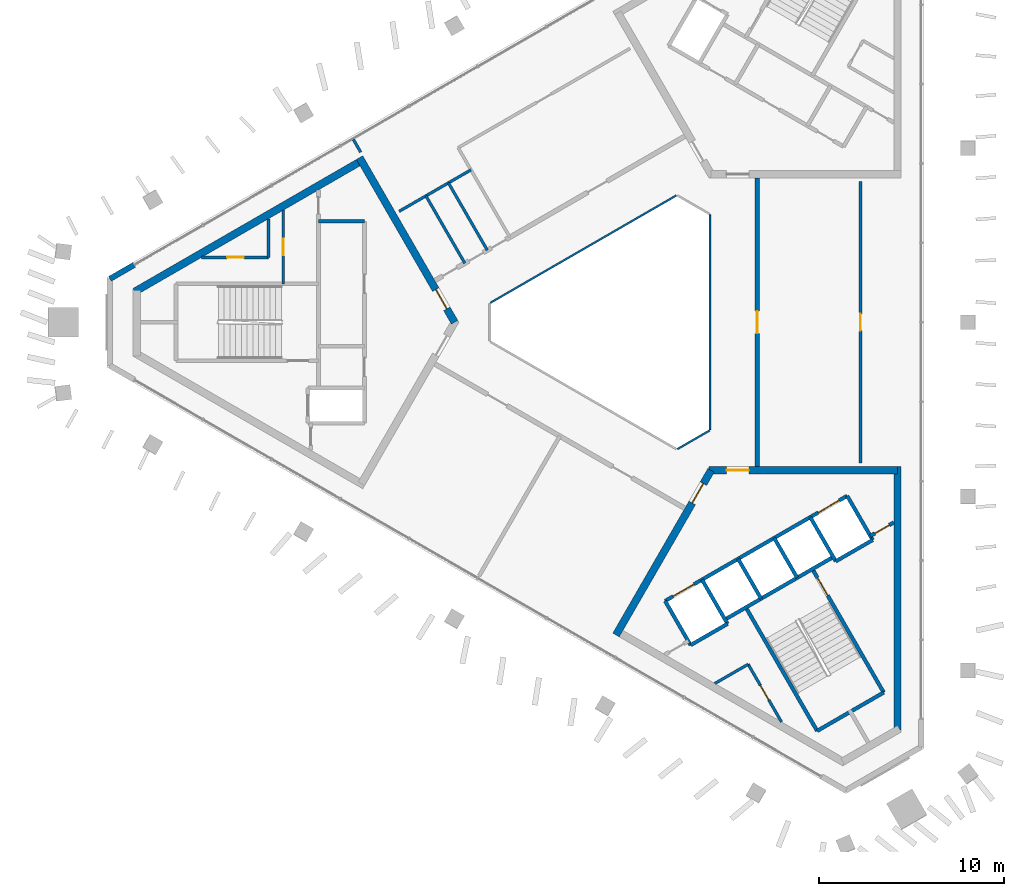
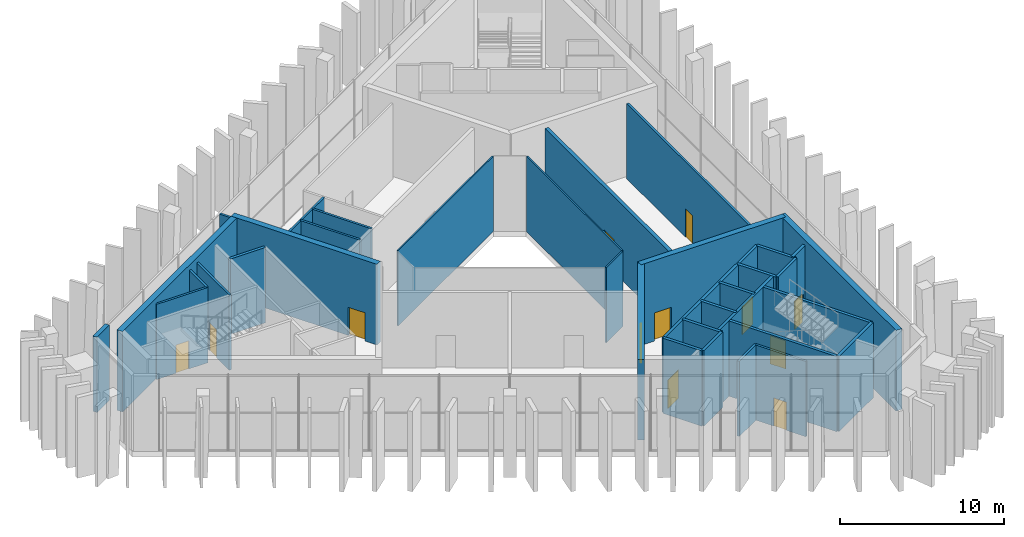
# One storey, part 8 of 12: 35 walls, 12 doors, 12 openings.
"""IFC4 building model written with IfcOpenShell, lengths in metres."""

from ifc_helpers import new_model, si_unit, direction, frame, frame_2d, origin, place, context, subcontext, project, spatial, rectangle, extrude, material, layer, layer_set, type_object, element, fill, save


model = new_model("IFC4")

# Units and contexts
model_context = context("Model", 3, precision=1e-05, world=origin(), true_north=direction((0.0, 1.0)))
body_context = subcontext(model_context, "Body", "Model", "MODEL_VIEW")
ifc_project = project(units=[si_unit("LENGTHUNIT", "METRE"), si_unit("AREAUNIT", "SQUARE_METRE"), si_unit("VOLUMEUNIT", "CUBIC_METRE"), si_unit("PLANEANGLEUNIT", "RADIAN"), si_unit("MASSUNIT", "GRAM", prefix="KILO")], contexts=[model_context])

# Site, building, storey
site_placement = place(None, origin())
site = spatial("IfcSite", under=ifc_project, at=site_placement, CompositionType="ELEMENT")
building_placement = place(site_placement, origin())
building = spatial("IfcBuilding", under=site, at=building_placement, Name="Jabali Bay Hotel Tower and Convention Centre", CompositionType="ELEMENT")
storey_placement = place(building_placement, frame((0.0, 0.0, 304.800048828125)))
storey = spatial("IfcBuildingStorey", under=building, at=storey_placement, Name="L75", CompositionType="ELEMENT", Elevation=304.800048828125)

# Walls
ifc_material_1 = material(Name="Fire-resistant glazing", Category="glass")
ifc_layer_1 = layer(ifc_material_1, 0.10009765625)
ifc_layer_set_1 = layer_set([ifc_layer_1], Name="Fire-resistant glazing")
wall_type_1 = type_object("IfcWallType", Name="Atrium glazed screen 100", PredefinedType="PARTITIONING", material=ifc_layer_set_1)
for number, where, z_axis, x_axis, name in (
    (1, (79.56005859375, 74.205810546875, 0.0), (0.0, 0.0, 1.0), (0.0, 1.0, 0.0), "Atrium screen 1 L75"),
    (2, (77.738037109375, 86.84619140625, 0.0), (0.0, 0.0, 1.0), (-0.866026658274, -0.499997827154, 0.0), "Atrium screen 3 L75"),
):
    element("IfcWall", number, at=place(storey_placement, frame(where, z_axis=z_axis, x_axis=x_axis)), inside=storey, type_object=wall_type_1, Name=name, PredefinedType="PARTITIONING", context=body_context, shape_type="SweptSolid", body=[
        extrude(rectangle(XDim=11.58837890625, YDim=0.10009765625, at=frame_2d((5.794189453125, 0.0))), origin(), (0.0, 0.0, 1.0), 5.599853515625),
    ])
wall_1_placement = place(storey_placement, frame((77.7978515625, 73.15380859375, 0.0), z_axis=(0.0, 0.0, 1.0), x_axis=(0.866041268327, 0.499972520799, 0.0)))
element("IfcWall", 3, at=wall_1_placement, inside=storey, type_object=wall_type_1, Name="Atrium screen 6 L75", PredefinedType="PARTITIONING", context=body_context, shape_type="SweptSolid", body=[
    extrude(rectangle(XDim=2.0, YDim=0.10009765625, at=frame_2d((1.0, 0.0))), origin(), (0.0, 0.0, 1.0), 5.599853515625),
])

# Wall, opening, door
ifc_material_2 = material(Name="Concrete C40", Category="concrete")
ifc_layer_2 = layer(ifc_material_2, 0.199951171875)
ifc_layer_set_2 = layer_set([ifc_layer_2], Name="Concrete C40")
wall_type_2 = type_object("IfcWallType", Name="Core partition wall 200", PredefinedType="PARTITIONING", material=ifc_layer_set_2)
wall_2_placement = place(storey_placement, frame((88.214599609375, 68.46142578125, 0.0), z_axis=(0.0, 0.0, 1.0), x_axis=(0.865982457891, 0.500074377092, 0.0)))
wall_2 = element("IfcWall", 4, at=wall_2_placement, inside=storey, type_object=wall_type_2, Name="Core wall 2.13 L75", PredefinedType="PARTITIONING", context=body_context, shape_type="SweptSolid", body=[
    extrude(rectangle(XDim=1.461181640625, YDim=0.199951171875, at=frame_2d((0.73046875, 0.0))), origin(), (0.0, 0.0, 1.0), 5.599853515625),
])
opening_1_placement = place(wall_2_placement, frame((0.280517578125, 0.0, 0.0)))
opening_1 = element("IfcOpeningElement", 5, at=opening_1_placement, cuts=wall_2, Name="Opening D1680", PredefinedType="OPENING", context=body_context, shape_type="SweptSolid", body=[
    extrude(rectangle(XDim=0.89990234375, YDim=2.10009765625, at=frame_2d((0.449951171875, 1.050048828125))), frame((0.0, 0.1103515625, 0.0), z_axis=(0.0, -1.0, 0.0), x_axis=(1.0, 0.0, 0.0)), (0.0, 0.0, 1.0), 0.220947265625),
])
ifc_material_3 = material(Name="Fire-rated steel door", Category="steel")
door_type_1 = type_object("IfcDoorType", Name="Vestibule fire door 900 x 2100", OperationType="NOTDEFINED", PredefinedType="NOTDEFINED", material=ifc_material_3)
door_1_placement = place(opening_1_placement, origin())
door_1 = element("IfcDoor", 6, at=door_1_placement, inside=storey, type_object=door_type_1, Name="Vestibule fire door D1680", OperationType="SINGLE_SWING_LEFT", OverallHeight=2.10009765625, OverallWidth=0.89990234375, PredefinedType="NOTDEFINED", context=body_context, shape_type="SweptSolid", body=[
    extrude(rectangle(XDim=0.89990234375, YDim=2.10009765625, at=frame_2d((0.449951171875, 1.050048828125))), frame((0.0, 0.02490234375, 0.0), z_axis=(0.0, -1.0, 0.0), x_axis=(1.0, 0.0, 0.0)), (0.0, 0.0, 1.0), 0.050048828125),
])
fill(opening_1, door_1)

ifc_material_4 = material(Name="Fire-rated board partition")
ifc_layer_3 = layer(ifc_material_4, 0.14990234375)
ifc_layer_set_3 = layer_set([ifc_layer_3], Name="Fire-rated board partition")
wall_type_3 = type_object("IfcWallType", Name="Core room partition 150", PredefinedType="PARTITIONING", material=ifc_layer_set_3)
wall_3_placement = place(storey_placement, frame((55.719970703125, 83.5, 0.0), z_axis=(0.0, 0.0, 1.0), x_axis=(-1.0, 0.0, 0.0)))
wall_3 = element("IfcWall", 7, at=wall_3_placement, inside=storey, type_object=wall_type_3, Name="Core wall 0.1 L75", PredefinedType="PARTITIONING", context=body_context, shape_type="SweptSolid", body=[
    extrude(rectangle(XDim=3.61767578125, YDim=0.14990234375, at=frame_2d((1.808837890625, 0.0))), origin(), (0.0, 0.0, 1.0), 5.599853515625),
])
opening_2_placement = place(wall_3_placement, frame((1.33154296875, 0.0, 0.0)))
opening_2 = element("IfcOpeningElement", 8, at=opening_2_placement, cuts=wall_3, Name="Opening D1668", PredefinedType="OPENING", context=body_context, shape_type="SweptSolid", body=[
    extrude(rectangle(XDim=0.89990234375, YDim=2.10009765625, at=frame_2d((0.449951171875, 1.050048828125))), frame((0.0, 0.08544921875, 0.0), z_axis=(0.0, -1.0, 0.0), x_axis=(1.0, 0.0, 0.0)), (0.0, 0.0, 1.0), 0.1708984375),
])
door_type_2 = type_object("IfcDoorType", Name="Core room door 900 x 2100", OperationType="NOTDEFINED", PredefinedType="NOTDEFINED", material=ifc_material_3)
door_2_placement = place(opening_2_placement, origin())
door_2 = element("IfcDoor", 9, at=door_2_placement, inside=storey, type_object=door_type_2, Name="Core room door D1668", OperationType="SINGLE_SWING_LEFT", OverallHeight=2.10009765625, OverallWidth=0.89990234375, PredefinedType="NOTDEFINED", context=body_context, shape_type="SweptSolid", body=[
    extrude(rectangle(XDim=0.89990234375, YDim=2.10009765625, at=frame_2d((0.449951171875, 1.050048828125))), frame((0.0, 0.02490234375, 0.0), z_axis=(0.0, -1.0, 0.0), x_axis=(1.0, 0.0, 0.0)), (0.0, 0.0, 1.0), 0.050048828125),
])
fill(opening_2, door_2)

wall_4_placement = place(storey_placement, frame((56.52001953125, 86.050537109375, 0.0), z_axis=(0.0, 0.0, 1.0), x_axis=(0.0, -1.0, 0.0)))
wall_4 = element("IfcWall", 10, at=wall_4_placement, inside=storey, type_object=wall_type_3, Name="Core wall 0.12 L75", PredefinedType="PARTITIONING", context=body_context, shape_type="SweptSolid", body=[
    extrude(rectangle(XDim=3.9755859375, YDim=0.14990234375, at=frame_2d((1.98779296875, 0.0))), origin(), (0.0, 0.0, 1.0), 5.599853515625),
])
opening_3_placement = place(wall_4_placement, frame((1.537841796875, 0.0, 0.0)))
opening_3 = element("IfcOpeningElement", 11, at=opening_3_placement, cuts=wall_4, Name="Opening D1664", PredefinedType="OPENING", context=body_context, shape_type="SweptSolid", body=[
    extrude(rectangle(XDim=0.89990234375, YDim=2.10009765625, at=frame_2d((0.449951171875, 1.050048828125))), frame((0.0, 0.08544921875, 0.0), z_axis=(0.0, -1.0, 0.0), x_axis=(1.0, 0.0, 0.0)), (0.0, 0.0, 1.0), 0.1708984375),
])
door_3_placement = place(opening_3_placement, origin())
door_3 = element("IfcDoor", 12, at=door_3_placement, inside=storey, type_object=door_type_2, Name="Core room door D1664", OperationType="SINGLE_SWING_RIGHT", OverallHeight=2.10009765625, OverallWidth=0.89990234375, PredefinedType="NOTDEFINED", context=body_context, shape_type="SweptSolid", body=[
    extrude(rectangle(XDim=0.89990234375, YDim=2.10009765625, at=frame_2d((0.449951171875, 1.050048828125))), frame((0.0, 0.02490234375, 0.0), z_axis=(0.0, -1.0, 0.0), x_axis=(1.0, 0.0, 0.0)), (0.0, 0.0, 1.0), 0.050048828125),
])
fill(opening_3, door_3)

# Wall
wall_5_placement = place(storey_placement, frame((55.719970703125, 85.5888671875, 0.0), z_axis=(0.0, 0.0, 1.0), x_axis=(0.0, -1.0, 0.0)))
element("IfcWall", 13, at=wall_5_placement, inside=storey, type_object=wall_type_3, Name="Core wall 0.13 L75", PredefinedType="PARTITIONING", context=body_context, shape_type="SweptSolid", body=[
    extrude(rectangle(XDim=2.0888671875, YDim=0.14990234375, at=frame_2d((1.04443359375, 0.0))), origin(), (0.0, 0.0, 1.0), 5.599853515625),
])

# Wall, opening, door
wall_6_placement = place(storey_placement, frame((81.618896484375, 61.53564453125, 0.0), z_axis=(0.0, 0.0, 1.0), x_axis=(0.499992664208, -0.866029639064, 0.0)))
wall_6 = element("IfcWall", 14, at=wall_6_placement, inside=storey, type_object=wall_type_3, Name="Core wall 2.1 L75", PredefinedType="PARTITIONING", context=body_context, shape_type="SweptSolid", body=[
    extrude(rectangle(XDim=3.59765625, YDim=0.14990234375, at=frame_2d((1.798828125, 0.0))), origin(), (0.0, 0.0, 1.0), 5.599853515625),
])
opening_4_placement = place(wall_6_placement, frame((1.321533203125, 0.0, 0.0)))
opening_4 = element("IfcOpeningElement", 15, at=opening_4_placement, cuts=wall_6, Name="Opening D1683", PredefinedType="OPENING", context=body_context, shape_type="SweptSolid", body=[
    extrude(rectangle(XDim=0.89990234375, YDim=2.10009765625, at=frame_2d((0.449951171875, 1.050048828125))), frame((0.0, 0.08544921875, 0.0), z_axis=(0.0, -1.0, 0.0), x_axis=(1.0, 0.0, 0.0)), (0.0, 0.0, 1.0), 0.1708984375),
])
door_4_placement = place(opening_4_placement, origin())
door_4 = element("IfcDoor", 16, at=door_4_placement, inside=storey, type_object=door_type_2, Name="Core room door D1683", OperationType="SINGLE_SWING_LEFT", OverallHeight=2.10009765625, OverallWidth=0.89990234375, PredefinedType="NOTDEFINED", context=body_context, shape_type="SweptSolid", body=[
    extrude(rectangle(XDim=0.89990234375, YDim=2.10009765625, at=frame_2d((0.449951171875, 1.050048828125))), frame((0.0, 0.02490234375, 0.0), z_axis=(0.0, -1.0, 0.0), x_axis=(1.0, 0.0, 0.0)), (0.0, 0.0, 1.0), 0.050048828125),
])
fill(opening_4, door_4)

# Walls
wall_7_placement = place(storey_placement, frame((79.820068359375, 60.4970703125, 0.0), z_axis=(0.0, 0.0, 1.0), x_axis=(0.866021168401, 0.500007335828, 0.0)))
element("IfcWall", 17, at=wall_7_placement, inside=storey, type_object=wall_type_3, Name="Core wall 2.16 L75", PredefinedType="PARTITIONING", context=body_context, shape_type="SweptSolid", body=[
    extrude(rectangle(XDim=2.0771484375, YDim=0.14990234375, at=frame_2d((1.03857421875, 0.0))), origin(), (0.0, 0.0, 1.0), 5.599853515625),
])
ifc_layer_4 = layer(ifc_material_2, 0.199951171875)
ifc_layer_set_4 = layer_set([ifc_layer_4], Name="Concrete C40")
wall_type_4 = type_object("IfcWallType", Name="Core stair wall 200", PredefinedType="SOLIDWALL", material=ifc_layer_set_4)
wall_8_placement = place(storey_placement, frame((60.89990234375, 85.449951171875, 0.0), z_axis=(0.0, 0.0, 1.0), x_axis=(-1.0, 0.0, 0.0)))
element("IfcWall", 18, at=wall_8_placement, inside=storey, type_object=wall_type_4, Name="Core wall 0.0 L75", PredefinedType="SOLIDWALL", context=body_context, shape_type="SweptSolid", body=[
    extrude(rectangle(XDim=2.47998046875, YDim=0.199951171875, at=frame_2d((1.239990234375, 0.0))), origin(), (0.0, 0.0, 1.0), 5.599853515625),
])
for number, where, z_axis, x_axis, name in (
    (19, (77.13525390625, 64.95166015625, 0.0), (0.0, 0.0, 1.0), (0.499996545922, -0.866027397988, 0.0), "Core wall 2.0 L75"),
    (20, (79.127197265625, 66.1015625, 0.0), (0.0, 0.0, 1.0), (0.499996545922, -0.866027397988, 0.0), "Core wall 2.2 L75"),
):
    element("IfcWall", number, at=place(storey_placement, frame(where, z_axis=z_axis, x_axis=x_axis)), inside=storey, type_object=wall_type_4, Name=name, PredefinedType="SOLIDWALL", context=body_context, shape_type="SweptSolid", body=[
        extrude(rectangle(XDim=2.75, YDim=0.199951171875, at=frame_2d((1.375, 0.0))), origin(), (0.0, 0.0, 1.0), 5.599853515625),
    ])
wall_9_placement = place(storey_placement, frame((81.492919921875, 64.603759765625, 0.0), z_axis=(0.0, 0.0, 1.0), x_axis=(0.500006057782, -0.866021906294, 0.0)))
element("IfcWall", 21, at=wall_9_placement, inside=storey, type_object=wall_type_4, Name="Core wall 2.3 L75", PredefinedType="SOLIDWALL", context=body_context, shape_type="SweptSolid", body=[
    extrude(rectangle(XDim=7.7001953125, YDim=0.199951171875, at=frame_2d((3.85009765625, 0.0))), origin(), (0.0, 0.0, 1.0), 5.599853515625),
])
for number, where, z_axis, x_axis, name in (
    (22, (81.07568359375, 67.2265625, 0.0), (0.0, 0.0, 1.0), (0.50000366821, -0.866023285932, 0.0), "Core wall 2.4 L75"),
    (23, (83.024169921875, 68.3515625, 0.0), (0.0, 0.0, 1.0), (0.50000366821, -0.866023285932, 0.0), "Core wall 2.6 L75"),
):
    element("IfcWall", number, at=place(storey_placement, frame(where, z_axis=z_axis, x_axis=x_axis)), inside=storey, type_object=wall_type_4, Name=name, PredefinedType="SOLIDWALL", context=body_context, shape_type="SweptSolid", body=[
        extrude(rectangle(XDim=2.47998046875, YDim=0.199951171875, at=frame_2d((1.239990234375, 0.0))), origin(), (0.0, 0.0, 1.0), 5.599853515625),
    ])

# Wall, opening, door
wall_10_placement = place(storey_placement, frame((85.0869140625, 66.6787109375, 0.0), z_axis=(0.0, 0.0, 1.0), x_axis=(0.500019787375, -0.866013979237, 0.0)))
wall_10 = element("IfcWall", 24, at=wall_10_placement, inside=storey, type_object=wall_type_4, Name="Core wall 2.7 L75", PredefinedType="SOLIDWALL", context=body_context, shape_type="SweptSolid", body=[
    extrude(rectangle(XDim=7.699951171875, YDim=0.199951171875, at=frame_2d((3.85009765625, 0.0))), origin(), (0.0, 0.0, 1.0), 5.599853515625),
])
opening_5_placement = place(wall_10_placement, frame((0.550048828125, 0.0, 0.0)))
opening_5 = element("IfcOpeningElement", 25, at=opening_5_placement, cuts=wall_10, Name="Opening D1682", PredefinedType="OPENING", context=body_context, shape_type="SweptSolid", body=[
    extrude(rectangle(XDim=1.10009765625, YDim=2.10009765625, at=frame_2d((0.550048828125, 1.050048828125))), frame((0.0, 0.1103515625, 0.0), z_axis=(0.0, -1.0, 0.0), x_axis=(1.0, 0.0, 0.0)), (0.0, 0.0, 1.0), 0.220947265625),
])
door_type_3 = type_object("IfcDoorType", Name="Stair fire door 1100 x 2100", OperationType="NOTDEFINED", PredefinedType="NOTDEFINED", material=ifc_material_3)
door_5_placement = place(opening_5_placement, origin())
door_5 = element("IfcDoor", 26, at=door_5_placement, inside=storey, type_object=door_type_3, Name="Stair fire door D1682", OperationType="SINGLE_SWING_RIGHT", OverallHeight=2.10009765625, OverallWidth=1.10009765625, PredefinedType="NOTDEFINED", context=body_context, shape_type="SweptSolid", body=[
    extrude(rectangle(XDim=1.10009765625, YDim=2.10009765625, at=frame_2d((0.550048828125, 1.050048828125))), frame((0.0, 0.02490234375, 0.0), z_axis=(0.0, -1.0, 0.0), x_axis=(1.0, 0.0, 0.0)), (0.0, 0.0, 1.0), 0.050048828125),
])
fill(opening_5, door_5)

# Walls
for number, where, z_axis, x_axis, name in (
    (27, (84.972900390625, 69.4765625, 0.0), (0.0, 0.0, 1.0), (0.499996545922, -0.866027397988, 0.0), "Core wall 2.8 L75"),
    (28, (86.964599609375, 70.62646484375, 0.0), (0.0, 0.0, 1.0), (0.499996545922, -0.866027397988, 0.0), "Core wall 2.9 L75"),
):
    element("IfcWall", number, at=place(storey_placement, frame(where, z_axis=z_axis, x_axis=x_axis)), inside=storey, type_object=wall_type_4, Name=name, PredefinedType="SOLIDWALL", context=body_context, shape_type="SweptSolid", body=[
        extrude(rectangle(XDim=2.75, YDim=0.199951171875, at=frame_2d((1.375, 0.0))), origin(), (0.0, 0.0, 1.0), 5.599853515625),
    ])

# Wall, openings, doors
wall_11_placement = place(storey_placement, frame((77.13525390625, 64.95166015625, 0.0), z_axis=(0.0, 0.0, 1.0), x_axis=(0.866031916153, 0.499988720078, 0.0)))
wall_11 = element("IfcWall", 29, at=wall_11_placement, inside=storey, type_object=wall_type_4, Name="Core wall 2.10 L75", PredefinedType="SOLIDWALL", context=body_context, shape_type="SweptSolid", body=[
    extrude(rectangle(XDim=11.349853515625, YDim=0.199951171875, at=frame_2d((5.6748046875, 0.0))), origin(), (0.0, 0.0, 1.0), 5.599853515625),
])
opening_6_placement = place(wall_11_placement, frame((0.5, 0.0, 0.0)))
opening_6 = element("IfcOpeningElement", 30, at=opening_6_placement, cuts=wall_11, Name="Opening LD11-L75", PredefinedType="OPENING", context=body_context, shape_type="SweptSolid", body=[
    extrude(rectangle(XDim=1.300048828125, YDim=2.10009765625, at=frame_2d((0.64990234375, 1.050048828125))), frame((0.0, 0.1103515625, 0.0), z_axis=(0.0, -1.0, 0.0), x_axis=(1.0, 0.0, 0.0)), (0.0, 0.0, 1.0), 0.220947265625),
])
opening_7_placement = place(wall_11_placement, frame((9.550048828125, 0.0, 0.0)))
opening_7 = element("IfcOpeningElement", 31, at=opening_7_placement, cuts=wall_11, Name="Opening LD15-L75", PredefinedType="OPENING", context=body_context, shape_type="SweptSolid", body=[
    extrude(rectangle(XDim=1.300048828125, YDim=2.10009765625, at=frame_2d((0.64990234375, 1.050048828125))), frame((0.0, 0.1103515625, 0.0), z_axis=(0.0, -1.0, 0.0), x_axis=(1.0, 0.0, 0.0)), (0.0, 0.0, 1.0), 0.220947265625),
])
ifc_material_5 = material(Name="Stainless steel landing door", Category="steel")
door_type_4 = type_object("IfcDoorType", Name="Landing door 1300 x 2100", OperationType="NOTDEFINED", PredefinedType="NOTDEFINED", material=ifc_material_5)
door_6_placement = place(opening_6_placement, origin())
door_6 = element("IfcDoor", 32, at=door_6_placement, inside=storey, type_object=door_type_4, Name="Landing doors LD11-L75", OperationType="SLIDING_TO_RIGHT", OverallHeight=2.10009765625, OverallWidth=1.300048828125, PredefinedType="NOTDEFINED", context=body_context, shape_type="SweptSolid", body=[
    extrude(rectangle(XDim=1.300048828125, YDim=2.10009765625, at=frame_2d((0.64990234375, 1.050048828125))), frame((0.0, 0.02490234375, 0.0), z_axis=(0.0, -1.0, 0.0), x_axis=(1.0, 0.0, 0.0)), (0.0, 0.0, 1.0), 0.050048828125),
])
fill(opening_6, door_6)
door_7_placement = place(opening_7_placement, origin())
door_7 = element("IfcDoor", 33, at=door_7_placement, inside=storey, type_object=door_type_4, Name="Landing doors LD15-L75", OperationType="SLIDING_TO_RIGHT", OverallHeight=2.10009765625, OverallWidth=1.300048828125, PredefinedType="NOTDEFINED", context=body_context, shape_type="SweptSolid", body=[
    extrude(rectangle(XDim=1.300048828125, YDim=2.10009765625, at=frame_2d((0.64990234375, 1.050048828125))), frame((0.0, 0.02490234375, 0.0), z_axis=(0.0, -1.0, 0.0), x_axis=(1.0, 0.0, 0.0)), (0.0, 0.0, 1.0), 0.050048828125),
])
fill(opening_7, door_7)

# Walls
wall_12_placement = place(storey_placement, frame((80.3671875, 63.953857421875, 0.0), z_axis=(0.0, 0.0, 1.0), x_axis=(0.866026575979, 0.499997969693, 0.0)))
element("IfcWall", 34, at=wall_12_placement, inside=storey, type_object=wall_type_4, Name="Core wall 2.11 L75", PredefinedType="SOLIDWALL", context=body_context, shape_type="SweptSolid", body=[
    extrude(rectangle(XDim=6.75, YDim=0.199951171875, at=frame_2d((3.375, 0.0))), origin(), (0.0, 0.0, 1.0), 5.599853515625),
])
wall_13_placement = place(storey_placement, frame((78.51025390625, 62.570068359375, 0.0), z_axis=(0.0, 0.0, 1.0), x_axis=(0.866053019151, 0.499952165731, 0.0)))
element("IfcWall", 35, at=wall_13_placement, inside=storey, type_object=wall_type_4, Name="Core wall 2.14 L75", PredefinedType="SOLIDWALL", context=body_context, shape_type="SweptSolid", body=[
    extrude(rectangle(XDim=2.300048828125, YDim=0.199951171875, at=frame_2d((1.14990234375, 0.0))), origin(), (0.0, 0.0, 1.0), 5.599853515625),
])
wall_14_placement = place(storey_placement, frame((86.347900390625, 67.094970703125, 0.0), z_axis=(0.0, 0.0, 1.0), x_axis=(0.86602648383, 0.499998129301, 0.0)))
element("IfcWall", 36, at=wall_14_placement, inside=storey, type_object=wall_type_4, Name="Core wall 2.15 L75", PredefinedType="SOLIDWALL", context=body_context, shape_type="SweptSolid", body=[
    extrude(rectangle(XDim=2.2998046875, YDim=0.199951171875, at=frame_2d((1.14990234375, 0.0))), origin(), (0.0, 0.0, 1.0), 5.599853515625),
])
wall_15_placement = place(storey_placement, frame((85.343017578125, 57.935302734375, 0.0), z_axis=(0.0, 0.0, 1.0), x_axis=(0.866004344652, 0.500036473714, 0.0)))
element("IfcWall", 37, at=wall_15_placement, inside=storey, type_object=wall_type_4, Name="Core wall 2.17 L75", PredefinedType="SOLIDWALL", context=body_context, shape_type="SweptSolid", body=[
    extrude(rectangle(XDim=4.150146484375, YDim=0.199951171875, at=frame_2d((2.0751953125, 0.0))), origin(), (0.0, 0.0, 1.0), 5.599853515625),
])

# Wall, opening, door
ifc_material_6 = material(Name="Concrete C60", Category="concrete")
ifc_layer_5 = layer(ifc_material_6, 0.39990234375)
ifc_layer_set_5 = layer_set([ifc_layer_5], Name="Concrete C60")
wall_type_5 = type_object("IfcWallType", Name="Core wall 400", PredefinedType="SHEAR", material=ifc_layer_set_5)
wall_16_placement = place(storey_placement, frame((65.76904296875, 80.0, 0.0), z_axis=(0.0, 0.0, 1.0), x_axis=(-0.50000177223, 0.866024380585, 0.0)))
wall_16 = element("IfcWall", 38, at=wall_16_placement, inside=storey, type_object=wall_type_5, Name="Core wall 1.1 L75", PredefinedType="SHEAR", context=body_context, shape_type="SweptSolid", body=[
    extrude(rectangle(XDim=10.2646484375, YDim=0.39990234375, at=frame_2d((5.13232421875, 0.0))), origin(), (0.0, 0.0, 1.0), 6.0),
])
opening_8_placement = place(wall_16_placement, frame((0.83447265625, 0.0, 0.0)))
opening_8 = element("IfcOpeningElement", 39, at=opening_8_placement, cuts=wall_16, Name="Opening D1660", PredefinedType="OPENING", context=body_context, shape_type="SweptSolid", body=[
    extrude(rectangle(XDim=1.199951171875, YDim=2.10009765625, at=frame_2d((0.60009765625, 1.050048828125))), frame((0.0, 0.21044921875, 0.0), z_axis=(0.0, -1.0, 0.0), x_axis=(1.0, 0.0, 0.0)), (0.0, 0.0, 1.0), 0.4208984375),
])
door_type_5 = type_object("IfcDoorType", Name="Corridor end fire door 1200 x 2100", OperationType="NOTDEFINED", PredefinedType="NOTDEFINED", material=ifc_material_3)
door_8_placement = place(opening_8_placement, origin())
door_8 = element("IfcDoor", 40, at=door_8_placement, inside=storey, type_object=door_type_5, Name="Corridor end fire door D1660", OperationType="SINGLE_SWING_RIGHT", OverallHeight=2.10009765625, OverallWidth=1.199951171875, PredefinedType="NOTDEFINED", context=body_context, shape_type="SweptSolid", body=[
    extrude(rectangle(XDim=1.199951171875, YDim=2.10009765625, at=frame_2d((0.60009765625, 1.050048828125))), frame((0.0, 0.02490234375, 0.0), z_axis=(0.0, -1.0, 0.0), x_axis=(1.0, 0.0, 0.0)), (0.0, 0.0, 1.0), 0.050048828125),
])
fill(opening_8, door_8)

# Wall
wall_17_placement = place(storey_placement, frame((60.73681640625, 88.716064453125, 0.0), z_axis=(0.0, 0.0, 1.0), x_axis=(-0.866028812667, -0.499994095595, 0.0)))
element("IfcWall", 41, at=wall_17_placement, inside=storey, type_object=wall_type_5, Name="Core wall 1.2 L75", PredefinedType="SHEAR", context=body_context, shape_type="SweptSolid", body=[
    extrude(rectangle(XDim=14.133544921875, YDim=0.39990234375, at=frame_2d((7.06689453125, 0.0))), origin(), (0.0, 0.0, 1.0), 6.0),
])

# Wall, opening, door
wall_18_placement = place(storey_placement, frame((79.615478515625, 72.005859375, 0.0), z_axis=(0.0, 0.0, 1.0), x_axis=(-0.50000177223, -0.866024380585, 0.0)))
wall_18 = element("IfcWall", 42, at=wall_18_placement, inside=storey, type_object=wall_type_5, Name="Core wall 3.1 L75", PredefinedType="SHEAR", context=body_context, shape_type="SweptSolid", body=[
    extrude(rectangle(XDim=10.2646484375, YDim=0.39990234375, at=frame_2d((5.13232421875, 0.0))), origin(), (0.0, 0.0, 1.0), 6.0),
])
opening_9_placement = place(wall_18_placement, frame((0.83447265625, 0.0, 0.0)))
opening_9 = element("IfcOpeningElement", 43, at=opening_9_placement, cuts=wall_18, Name="Opening D1678", PredefinedType="OPENING", context=body_context, shape_type="SweptSolid", body=[
    extrude(rectangle(XDim=1.199951171875, YDim=2.10009765625, at=frame_2d((0.60009765625, 1.050048828125))), frame((0.0, 0.21044921875, 0.0), z_axis=(0.0, -1.0, 0.0), x_axis=(1.0, 0.0, 0.0)), (0.0, 0.0, 1.0), 0.4208984375),
])
door_9_placement = place(opening_9_placement, origin())
door_9 = element("IfcDoor", 44, at=door_9_placement, inside=storey, type_object=door_type_5, Name="Corridor end fire door D1678", OperationType="SINGLE_SWING_RIGHT", OverallHeight=2.10009765625, OverallWidth=1.199951171875, PredefinedType="NOTDEFINED", context=body_context, shape_type="SweptSolid", body=[
    extrude(rectangle(XDim=1.199951171875, YDim=2.10009765625, at=frame_2d((0.60009765625, 1.050048828125))), frame((0.0, 0.02490234375, 0.0), z_axis=(0.0, -1.0, 0.0), x_axis=(1.0, 0.0, 0.0)), (0.0, 0.0, 1.0), 0.050048828125),
])
fill(opening_9, door_9)

# Wall
wall_19_placement = place(storey_placement, frame((89.679931640625, 57.98779296875, 0.0), z_axis=(0.0, 0.0, 1.0), x_axis=(0.0, 1.0, 0.0)))
element("IfcWall", 45, at=wall_19_placement, inside=storey, type_object=wall_type_5, Name="Core wall 3.4 L75", PredefinedType="SHEAR", context=body_context, shape_type="SweptSolid", body=[
    extrude(rectangle(XDim=14.218017578125, YDim=0.39990234375, at=frame_2d((7.10888671875, 0.0))), origin(), (0.0, 0.0, 1.0), 6.0),
])

# Wall, opening, door
wall_20_placement = place(storey_placement, frame((89.679931640625, 72.005859375, 0.0), z_axis=(0.0, 0.0, 1.0), x_axis=(-1.0, 0.0, 0.0)))
wall_20 = element("IfcWall", 46, at=wall_20_placement, inside=storey, type_object=wall_type_5, Name="Core wall 3.5 L75", PredefinedType="SHEAR", context=body_context, shape_type="SweptSolid", body=[
    extrude(rectangle(XDim=10.179931640625, YDim=0.39990234375, at=frame_2d((5.08984375, 0.0))), origin(), (0.0, 0.0, 1.0), 6.0),
])
opening_10_placement = place(wall_20_placement, frame((8.030029296875, 0.0, 0.0)))
opening_10 = element("IfcOpeningElement", 47, at=opening_10_placement, cuts=wall_20, Name="Opening D1679", PredefinedType="OPENING", context=body_context, shape_type="SweptSolid", body=[
    extrude(rectangle(XDim=1.199951171875, YDim=2.10009765625, at=frame_2d((0.60009765625, 1.050048828125))), frame((0.0, 0.21044921875, 0.0), z_axis=(0.0, -1.0, 0.0), x_axis=(1.0, 0.0, 0.0)), (0.0, 0.0, 1.0), 0.4208984375),
])
door_10_placement = place(opening_10_placement, origin())
door_10 = element("IfcDoor", 48, at=door_10_placement, inside=storey, type_object=door_type_5, Name="Corridor end fire door D1679", OperationType="SINGLE_SWING_LEFT", OverallHeight=2.10009765625, OverallWidth=1.199951171875, PredefinedType="NOTDEFINED", context=body_context, shape_type="SweptSolid", body=[
    extrude(rectangle(XDim=1.199951171875, YDim=2.10009765625, at=frame_2d((0.60009765625, 1.050048828125))), frame((0.0, 0.02490234375, 0.0), z_axis=(0.0, -1.0, 0.0), x_axis=(1.0, 0.0, 0.0)), (0.0, 0.0, 1.0), 0.050048828125),
])
fill(opening_10, door_10)

ifc_layer_6 = layer(ifc_material_6, 0.25)
ifc_layer_set_6 = layer_set([ifc_layer_6], Name="Concrete C60")
wall_type_6 = type_object("IfcWallType", Name="Corridor wall 250", PredefinedType="SHEAR", material=ifc_layer_set_6)
wall_21_placement = place(storey_placement, frame((82.10009765625, 72.205810546875, 0.0), z_axis=(0.0, 0.0, 1.0), x_axis=(0.0, 1.0, 0.0)))
wall_21 = element("IfcWall", 49, at=wall_21_placement, inside=storey, type_object=wall_type_6, Name="Corridor wall 1 L75", PredefinedType="SHEAR", context=body_context, shape_type="SweptSolid", body=[
    extrude(rectangle(XDim=15.58837890625, YDim=0.25, at=frame_2d((7.794189453125, 0.0))), origin(), (0.0, 0.0, 1.0), 5.599853515625),
])
opening_11_placement = place(wall_21_placement, frame((7.194091796875, 0.0, 0.0)))
opening_11 = element("IfcOpeningElement", 50, at=opening_11_placement, cuts=wall_21, Name="Opening 7501", PredefinedType="OPENING", context=body_context, shape_type="SweptSolid", body=[
    extrude(rectangle(XDim=1.199951171875, YDim=2.39990234375, at=frame_2d((0.60009765625, 1.199951171875))), frame((0.0, 0.135498046875, 0.0), z_axis=(0.0, -1.0, 0.0), x_axis=(1.0, 0.0, 0.0)), (0.0, 0.0, 1.0), 0.27099609375),
])
ifc_material_7 = material(Name="Timber", Category="wood")
door_type_6 = type_object("IfcDoorType", Name="Public room door 1200 x 2400", OperationType="NOTDEFINED", PredefinedType="NOTDEFINED", material=ifc_material_7)
door_11_placement = place(opening_11_placement, origin())
door_11 = element("IfcDoor", 51, at=door_11_placement, inside=storey, type_object=door_type_6, Name="Door 7501", OperationType="SINGLE_SWING_RIGHT", OverallHeight=2.39990234375, OverallWidth=1.199951171875, PredefinedType="NOTDEFINED", context=body_context, shape_type="SweptSolid", body=[
    extrude(rectangle(XDim=1.199951171875, YDim=2.39990234375, at=frame_2d((0.60009765625, 1.199951171875))), frame((0.0, 0.02490234375, 0.0), z_axis=(0.0, -1.0, 0.0), x_axis=(1.0, 0.0, 0.0)), (0.0, 0.0, 1.0), 0.050048828125),
])
fill(opening_11, door_11)

# Wall
ifc_layer_7 = layer(ifc_material_2, 0.300048828125)
ifc_layer_set_7 = layer_set([ifc_layer_7], Name="Concrete C40")
wall_type_7 = type_object("IfcWallType", Name="External wall 300", PredefinedType="SOLIDWALL", material=ifc_layer_set_7)
wall_22_placement = place(storey_placement, frame((47.159423828125, 82.34619140625, 0.0), z_axis=(0.0, 0.0, 1.0), x_axis=(0.866031096941, 0.499990139034, 0.0)))
element("IfcWall", 52, at=wall_22_placement, inside=storey, type_object=wall_type_7, Name="External wall north-west face L75", PredefinedType="SOLIDWALL", context=body_context, shape_type="SweptSolid", body=[
    extrude(rectangle(XDim=1.5, YDim=0.300048828125, at=frame_2d((0.75, 0.0))), origin(), (0.0, 0.0, 1.0), 5.599853515625),
])

# Wall, opening, door
ifc_material_8 = material(Name="Plasterboard on steel stud", Category="steel")
ifc_layer_8 = layer(ifc_material_8, 0.14990234375)
ifc_layer_set_8 = layer_set([ifc_layer_8], Name="Plasterboard on steel stud")
wall_type_8 = type_object("IfcWallType", Name="Partition 150 wet", PredefinedType="PARTITIONING", material=ifc_layer_set_8)
wall_23_placement = place(storey_placement, frame((87.681396484375, 72.40478515625, 0.0), z_axis=(0.0, 0.0, 1.0), x_axis=(0.0, 1.0, 0.0)))
wall_23 = element("IfcWall", 53, at=wall_23_placement, inside=storey, type_object=wall_type_8, Name="Partition P03 L75 001", PredefinedType="PARTITIONING", context=body_context, shape_type="SweptSolid", body=[
    extrude(rectangle(XDim=15.1904296875, YDim=0.14990234375, at=frame_2d((7.59521484375, 0.0))), origin(), (0.0, 0.0, 1.0), 5.599853515625),
])
opening_12_placement = place(wall_23_placement, frame((7.14501953125, 0.0, 0.0)))
opening_12 = element("IfcOpeningElement", 54, at=opening_12_placement, cuts=wall_23, Name="Opening 7502", PredefinedType="OPENING", context=body_context, shape_type="SweptSolid", body=[
    extrude(rectangle(XDim=0.89990234375, YDim=2.10009765625, at=frame_2d((0.449951171875, 1.050048828125))), frame((0.0, 0.08544921875, 0.0), z_axis=(0.0, -1.0, 0.0), x_axis=(1.0, 0.0, 0.0)), (0.0, 0.0, 1.0), 0.1708984375),
])
door_type_7 = type_object("IfcDoorType", Name="Internal door 900 x 2100", OperationType="NOTDEFINED", PredefinedType="NOTDEFINED", material=ifc_material_7)
door_12_placement = place(opening_12_placement, origin())
door_12 = element("IfcDoor", 55, at=door_12_placement, inside=storey, type_object=door_type_7, Name="Door 7502", OperationType="SINGLE_SWING_LEFT", OverallHeight=2.10009765625, OverallWidth=0.89990234375, PredefinedType="NOTDEFINED", context=body_context, shape_type="SweptSolid", body=[
    extrude(rectangle(XDim=0.89990234375, YDim=2.10009765625, at=frame_2d((0.449951171875, 1.050048828125))), frame((0.0, 0.02490234375, 0.0), z_axis=(0.0, -1.0, 0.0), x_axis=(1.0, 0.0, 0.0)), (0.0, 0.0, 1.0), 0.050048828125),
])
fill(opening_12, door_12)

# Walls
wall_24_placement = place(storey_placement, frame((62.7724609375, 85.988525390625, 0.0), z_axis=(0.0, 0.0, 1.0), x_axis=(0.866013054227, 0.500021389451, 0.0)))
element("IfcWall", 56, at=wall_24_placement, inside=storey, type_object=wall_type_8, Name="Partition P03 L75 004", PredefinedType="PARTITIONING", context=body_context, shape_type="SweptSolid", body=[
    extrude(rectangle(XDim=4.477294921875, YDim=0.14990234375, at=frame_2d((2.23876953125, 0.0))), origin(), (0.0, 0.0, 1.0), 5.599853515625),
])
wall_25_placement = place(storey_placement, frame((60.301025390625, 89.87109375, 0.0), z_axis=(0.0, 0.0, 1.0), x_axis=(0.499890179513, -0.866088799389, 0.0)))
element("IfcWall", 57, at=wall_25_placement, inside=storey, type_object=wall_type_8, Name="Partition P03 L75 005", PredefinedType="PARTITIONING", context=body_context, shape_type="SweptSolid", body=[
    extrude(rectangle(XDim=0.798095703125, YDim=0.14990234375, at=frame_2d((0.39892578125, 0.0))), origin(), (0.0, 0.0, 1.0), 5.599853515625),
])
for number, where, z_axis, x_axis, name in (
    (58, (65.43505859375, 87.52587890625, 0.0), (0.0, 0.0, 1.0), (0.499958946799, -0.866049104564, 0.0), "Partition P03 L75 006"),
    (59, (64.219970703125, 86.82421875, 0.0), (0.0, 0.0, 1.0), (0.500027713859, -0.866009402589, 0.0), "Partition P03 L75 007"),
):
    element("IfcWall", number, at=place(storey_placement, frame(where, z_axis=z_axis, x_axis=x_axis)), inside=storey, type_object=wall_type_8, Name=name, PredefinedType="PARTITIONING", context=body_context, shape_type="SweptSolid", body=[
        extrude(rectangle(XDim=4.199951171875, YDim=0.14990234375, at=frame_2d((2.10009765625, 0.0))), origin(), (0.0, 0.0, 1.0), 5.599853515625),
    ])

save(model, "model.ifc")
